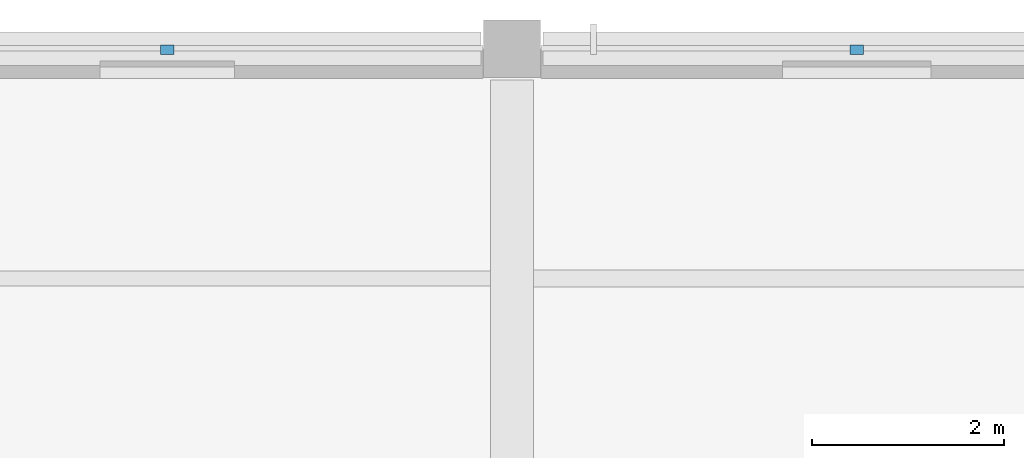
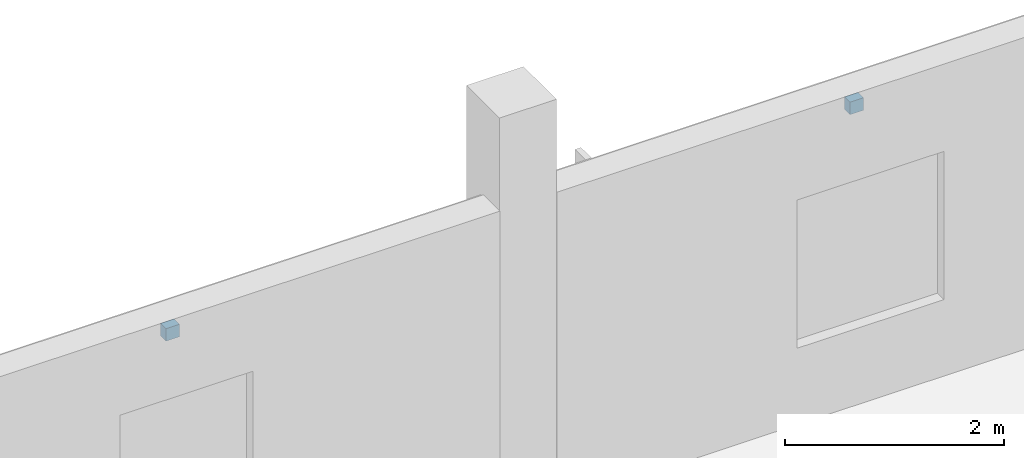
# One storey, part 104 of 123: 2 discrete accessories.
"""IFC4 building model written with IfcOpenShell, lengths in metres."""

import ifcopenshell
import ifcopenshell.guid

model = None  # the IFC model being written
_history = None  # IfcOwnerHistory: only IFC2X3 demands one
_inside = {}  # id of a spatial element -> (the spatial element, [elements in it])
_under = {}  # id of a project, library or spatial element -> (it, [spatial elements below it])
_declared = {}  # id of a project -> (the project, [libraries it declares])
_typed = {}  # id of a type object -> (the type object, [elements of that type])
_made_of = {}  # id of a material, layer set ... -> (it, [elements and type objects made of it])


def new_model(schema):
    """Start an empty IFC model of exactly this schema.

    Asked for "IFC4X3", IfcOpenShell would pick the latest addendum, in which some entities
    have other attributes; the version numbers below select the first issue.
    IFC2X3 requires an IfcOwnerHistory on every rooted entity: one is made here for all.
    """
    global model, _history
    if schema == "IFC4X3":
        model = ifcopenshell.file(schema_version=(4, 3, 0, 0))
    else:
        model = ifcopenshell.file(schema=schema)
    _inside.clear()
    _under.clear()
    _declared.clear()
    _typed.clear()
    _made_of.clear()
    _history = None
    if model.schema == "IFC2X3":
        org = make("IfcOrganization", Name="unknown")
        user = make(
            "IfcPersonAndOrganization",
            ThePerson=make("IfcPerson", FamilyName="unknown"),
            TheOrganization=org,
        )
        app = make(
            "IfcApplication",
            ApplicationDeveloper=org,
            Version="unknown",
            ApplicationFullName="unknown",
            ApplicationIdentifier="unknown",
        )
        _history = make(
            "IfcOwnerHistory",
            OwningUser=user,
            OwningApplication=app,
            ChangeAction="ADDED",
            CreationDate=0,
        )
    return model


def make(cls, **values):
    """One entity of the class cls with the attributes given. An attribute that is None is left unset."""
    return model.create_entity(
        cls, **{name: value for name, value in values.items() if value is not None}
    )


def rooted(cls, **values):
    """An entity with a GlobalId (a new one), such as an element, a storey or a relation."""
    return make(cls, GlobalId=ifcopenshell.guid.new(), OwnerHistory=_history, **values)


def si_unit(unit_type, name, prefix=None):
    """IfcSIUnit, for example si_unit("LENGTHUNIT", "METRE", prefix="MILLI")."""
    return make("IfcSIUnit", UnitType=unit_type, Prefix=prefix, Name=name)


def assignment(units):
    """IfcUnitAssignment: the units of a project."""
    return None if units is None else make("IfcUnitAssignment", Units=units)


def point(xyz):
    """IfcCartesianPoint."""
    return None if xyz is None else make("IfcCartesianPoint", Coordinates=xyz)


def direction(xyz):
    """IfcDirection."""
    return None if xyz is None else make("IfcDirection", DirectionRatios=xyz)


def frame(location, z_axis=None, x_axis=None):
    """IfcAxis2Placement3D, a coordinate frame: its origin and axes. An axis left out is left unset."""
    return make(
        "IfcAxis2Placement3D",
        Location=point(location),
        Axis=direction(z_axis),
        RefDirection=direction(x_axis),
    )


def frame_2d(location, x_axis=None):
    """IfcAxis2Placement2D, a coordinate frame in the plane: its origin and x axis."""
    return make(
        "IfcAxis2Placement2D", Location=point(location), RefDirection=direction(x_axis)
    )


def origin():
    """The frame at (0, 0, 0) with its axes left unset."""
    return frame((0.0, 0.0, 0.0))


def origin_2d():
    """The frame at (0, 0) in the plane with its x axis left unset."""
    return frame_2d((0.0, 0.0))


def place(relative_to, where):
    """IfcLocalPlacement: puts the frame where relative to a parent placement (None: the world)."""
    return make(
        "IfcLocalPlacement", PlacementRelTo=relative_to, RelativePlacement=where
    )


def context(
    kind, dimensions, precision=None, world=None, true_north=None, identifier=None
):
    """IfcGeometricRepresentationContext, for example the 3D "Model" context."""
    return make(
        "IfcGeometricRepresentationContext",
        ContextIdentifier=identifier,
        ContextType=kind,
        CoordinateSpaceDimension=dimensions,
        Precision=precision,
        WorldCoordinateSystem=world,
        TrueNorth=true_north,
    )


def subcontext(parent, identifier, kind, view, scale=None):
    """IfcGeometricRepresentationSubContext, for example "Body" below "Model"."""
    return make(
        "IfcGeometricRepresentationSubContext",
        ContextIdentifier=identifier,
        ContextType=kind,
        ParentContext=parent,
        TargetScale=scale,
        TargetView=view,
    )


def project(units=None, contexts=None):
    """IfcProject with its units and contexts."""
    return rooted(
        "IfcProject",
        Name="project",
        RepresentationContexts=contexts,
        UnitsInContext=assignment(units),
    )


def spatial(cls, under=None, at=None, **own):
    """A site, building, storey or space (cls), placed at a placement, below another one or the project."""
    s = rooted(cls, ObjectPlacement=at, **own)
    if under is not None:
        _under.setdefault(under.id(), (under, []))[1].append(s)
    return s


def profile(cls, at=None, kind="AREA", **sizes):
    """A parametric profile (cls). Its sizes go by their IFC names, for example OverallWidth=200.0."""
    return make(cls, ProfileType=kind, Position=at, **sizes)


def rectangle(**sizes):
    """IfcRectangleProfileDef."""
    return profile("IfcRectangleProfileDef", **sizes)


def extrude(swept, where, along, depth):
    """IfcExtrudedAreaSolid: the profile swept, set in the frame where, extruded along a direction by depth."""
    return make(
        "IfcExtrudedAreaSolid",
        SweptArea=swept,
        Position=where,
        ExtrudedDirection=direction(along),
        Depth=depth,
    )


def shape(context_of_items, identifier, shape_type, items):
    """IfcShapeRepresentation: the items that make up one representation, for example the "Body"."""
    return make(
        "IfcShapeRepresentation",
        ContextOfItems=context_of_items,
        RepresentationIdentifier=identifier,
        RepresentationType=shape_type,
        Items=items,
    )


def material(Name=None, Category=None):
    """IfcMaterial."""
    return make("IfcMaterial", Name=Name, Category=Category)


def made_of(thing, what):
    """Note that an element or type object is made of a material, layer set ...; save() writes the relation."""
    if what is not None:
        _made_of.setdefault(what.id(), (what, []))[1].append(thing)
    return thing


def type_object(cls, material=None, **own):
    """A type object (cls), such as IfcWallType, which elements share."""
    return made_of(rooted(cls, **own), material)


def element(
    cls,
    number,
    at=None,
    inside=None,
    cuts=None,
    type_object=None,
    material=None,
    context=None,
    identifier="Body",
    shape_type=None,
    held_by="IfcProductDefinitionShape",
    body=None,
    shapes=None,
    **own,
):
    """One element of the class cls, such as IfcWall. Its Tag is "e" and its number.

    at: its placement. inside: the storey or other place that contains it. cuts: it is an
    opening in that element (IfcRelVoidsElement). A single representation is given by context,
    identifier, shape_type and body (its items); several are given by shapes. held_by: the class
    of the entity that holds the representations. save() writes the other relations.
    """
    e = rooted(cls, Tag="e%d" % number, ObjectPlacement=at, **own)
    if body is not None:
        shapes = [shape(context, identifier, shape_type, body)]
    if shapes is not None:
        e.Representation = make(held_by, Representations=shapes)
    if inside is not None:
        _inside.setdefault(inside.id(), (inside, []))[1].append(e)
    if cuts is not None:
        rooted(
            "IfcRelVoidsElement", RelatingBuildingElement=cuts, RelatedOpeningElement=e
        )
    if type_object is not None:
        _typed.setdefault(type_object.id(), (type_object, []))[1].append(e)
    return made_of(e, material)


def aggregate(whole, parts):
    """IfcRelAggregates: a whole, such as a stair, and the parts it consists of."""
    return rooted("IfcRelAggregates", RelatingObject=whole, RelatedObjects=parts)


def save(model, path):
    """Write the relations noted so far, then the file.

    IfcRelAggregates (storeys below a building ...), IfcRelContainedInSpatialStructure (elements
    in a storey), IfcRelDefinesByType, IfcRelAssociatesMaterial and IfcRelDeclares: one each for
    every whole, place, type object, material and project.
    """
    for whole, parts in _under.values():
        aggregate(whole, parts)
    for where, things in _inside.values():
        rooted(
            "IfcRelContainedInSpatialStructure",
            RelatedElements=things,
            RelatingStructure=where,
        )
    for kind, things in _typed.values():
        rooted("IfcRelDefinesByType", RelatedObjects=things, RelatingType=kind)
    for what, things in _made_of.values():
        rooted("IfcRelAssociatesMaterial", RelatedObjects=things, RelatingMaterial=what)
    for by, libraries in _declared.values():
        rooted("IfcRelDeclares", RelatingContext=by, RelatedDefinitions=libraries)
    model.write(path)


model = new_model("IFC4")

# Units and contexts
model_context = context("Model", 3, precision=1e-05, world=origin(), true_north=direction((0.0, 1.0)))
body_context = subcontext(model_context, "Body", "Model", "MODEL_VIEW")
ifc_project = project(units=[si_unit("LENGTHUNIT", "METRE"), si_unit("AREAUNIT", "SQUARE_METRE"), si_unit("VOLUMEUNIT", "CUBIC_METRE"), si_unit("PLANEANGLEUNIT", "RADIAN"), si_unit("MASSUNIT", "GRAM", prefix="KILO")], contexts=[model_context])

# Site, building, storey
site_placement = place(None, origin())
site = spatial("IfcSite", under=ifc_project, at=site_placement, CompositionType="ELEMENT")
building_placement = place(site_placement, origin())
building = spatial("IfcBuilding", under=site, at=building_placement, Name="Kalmorath City Hall", CompositionType="ELEMENT")
storey_placement = place(building_placement, frame((0.0, 0.0, 10.199951171875)))
storey = spatial("IfcBuildingStorey", under=building, at=storey_placement, Name="L02", CompositionType="ELEMENT", Elevation=10.199951171875)

# Discrete accessories
ifc_material = material(Name="Stainless steel Grade 316", Category="steel")
discrete_accessory_type = type_object("IfcDiscreteAccessoryType", Name="Stainless rainscreen support bracket", PredefinedType="BRACKET", material=ifc_material)
for number, where, z_axis, x_axis, name in (
    (1, (111.60009765625, 115.18994140625, 3.05126953125), (0.0, 0.0, 1.0), (1.0, 0.0, 0.0), "L02 basalt anchor bracket #50"),
    (2, (118.800048828125, 115.18994140625, 3.05126953125), (0.0, 0.0, 1.0), (1.0, 0.0, 0.0), "L02 basalt anchor bracket #51"),
):
    element("IfcDiscreteAccessory", number, at=place(storey_placement, frame(where, z_axis=z_axis, x_axis=x_axis)), inside=storey, type_object=discrete_accessory_type, Name=name, PredefinedType="BRACKET", context=body_context, shape_type="SweptSolid", body=[
        extrude(rectangle(XDim=0.139892578125, YDim=0.10009765625, at=origin_2d()), origin(), (0.0, 0.0, 1.0), 0.139892578125),
    ])

save(model, "model.ifc")
